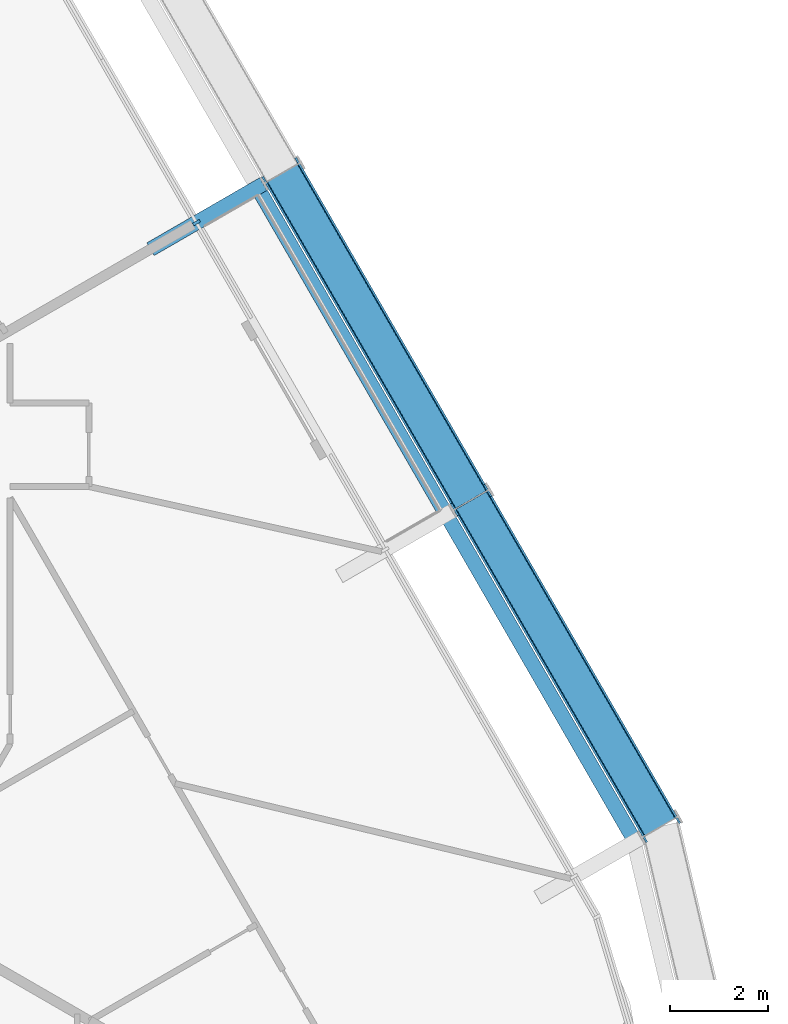
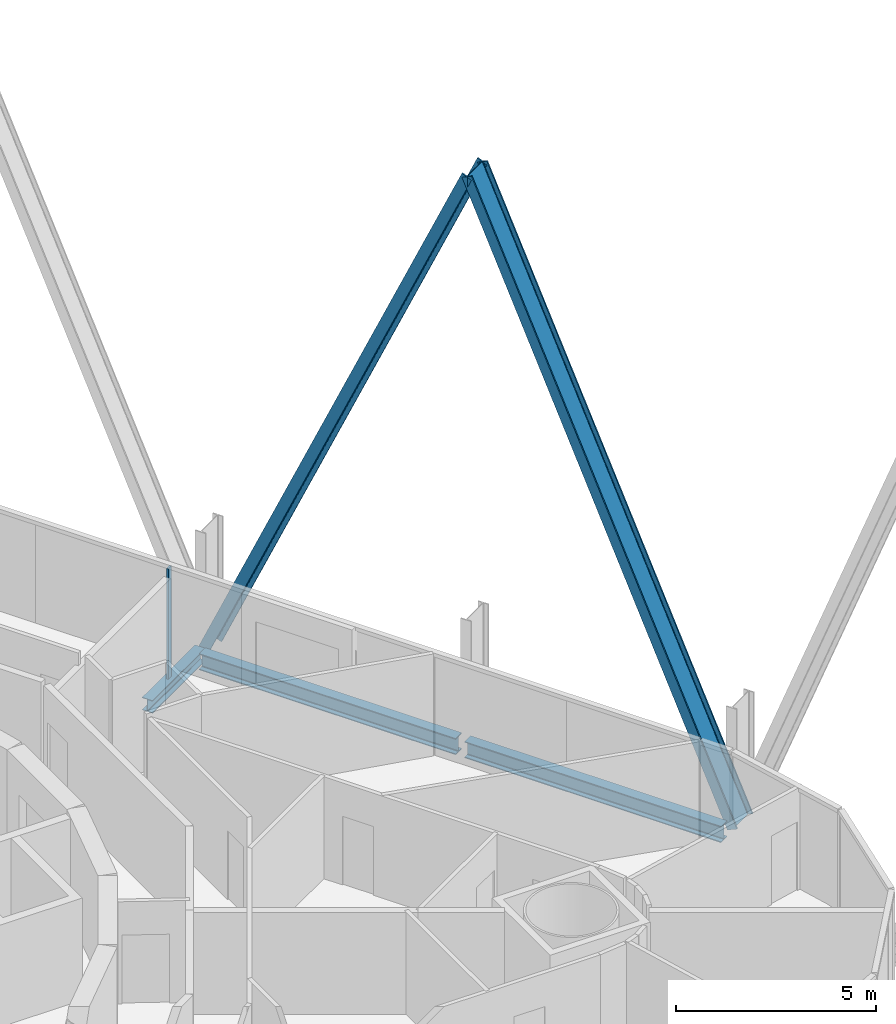
# One storey, part 9 of 22: 3 beams, 3 members, 1 element without a shape of its own.
"""IFC4 building model written with IfcOpenShell, lengths in metres."""

import ifcopenshell
import ifcopenshell.guid

model = None  # the IFC model being written
_history = None  # IfcOwnerHistory: only IFC2X3 demands one
_inside = {}  # id of a spatial element -> (the spatial element, [elements in it])
_under = {}  # id of a project, library or spatial element -> (it, [spatial elements below it])
_declared = {}  # id of a project -> (the project, [libraries it declares])
_typed = {}  # id of a type object -> (the type object, [elements of that type])
_made_of = {}  # id of a material, layer set ... -> (it, [elements and type objects made of it])


def new_model(schema):
    """Start an empty IFC model of exactly this schema.

    Asked for "IFC4X3", IfcOpenShell would pick the latest addendum, in which some entities
    have other attributes; the version numbers below select the first issue.
    IFC2X3 requires an IfcOwnerHistory on every rooted entity: one is made here for all.
    """
    global model, _history
    if schema == "IFC4X3":
        model = ifcopenshell.file(schema_version=(4, 3, 0, 0))
    else:
        model = ifcopenshell.file(schema=schema)
    _inside.clear()
    _under.clear()
    _declared.clear()
    _typed.clear()
    _made_of.clear()
    _history = None
    if model.schema == "IFC2X3":
        org = make("IfcOrganization", Name="unknown")
        user = make(
            "IfcPersonAndOrganization",
            ThePerson=make("IfcPerson", FamilyName="unknown"),
            TheOrganization=org,
        )
        app = make(
            "IfcApplication",
            ApplicationDeveloper=org,
            Version="unknown",
            ApplicationFullName="unknown",
            ApplicationIdentifier="unknown",
        )
        _history = make(
            "IfcOwnerHistory",
            OwningUser=user,
            OwningApplication=app,
            ChangeAction="ADDED",
            CreationDate=0,
        )
    return model


def make(cls, **values):
    """One entity of the class cls with the attributes given. An attribute that is None is left unset."""
    return model.create_entity(
        cls, **{name: value for name, value in values.items() if value is not None}
    )


def rooted(cls, **values):
    """An entity with a GlobalId (a new one), such as an element, a storey or a relation."""
    return make(cls, GlobalId=ifcopenshell.guid.new(), OwnerHistory=_history, **values)


def si_unit(unit_type, name, prefix=None):
    """IfcSIUnit, for example si_unit("LENGTHUNIT", "METRE", prefix="MILLI")."""
    return make("IfcSIUnit", UnitType=unit_type, Prefix=prefix, Name=name)


def assignment(units):
    """IfcUnitAssignment: the units of a project."""
    return None if units is None else make("IfcUnitAssignment", Units=units)


def point(xyz):
    """IfcCartesianPoint."""
    return None if xyz is None else make("IfcCartesianPoint", Coordinates=xyz)


def direction(xyz):
    """IfcDirection."""
    return None if xyz is None else make("IfcDirection", DirectionRatios=xyz)


def frame(location, z_axis=None, x_axis=None):
    """IfcAxis2Placement3D, a coordinate frame: its origin and axes. An axis left out is left unset."""
    return make(
        "IfcAxis2Placement3D",
        Location=point(location),
        Axis=direction(z_axis),
        RefDirection=direction(x_axis),
    )


def frame_2d(location, x_axis=None):
    """IfcAxis2Placement2D, a coordinate frame in the plane: its origin and x axis."""
    return make(
        "IfcAxis2Placement2D", Location=point(location), RefDirection=direction(x_axis)
    )


def origin():
    """The frame at (0, 0, 0) with its axes left unset."""
    return frame((0.0, 0.0, 0.0))


def origin_2d():
    """The frame at (0, 0) in the plane with its x axis left unset."""
    return frame_2d((0.0, 0.0))


def place(relative_to, where):
    """IfcLocalPlacement: puts the frame where relative to a parent placement (None: the world)."""
    return make(
        "IfcLocalPlacement", PlacementRelTo=relative_to, RelativePlacement=where
    )


def context(
    kind, dimensions, precision=None, world=None, true_north=None, identifier=None
):
    """IfcGeometricRepresentationContext, for example the 3D "Model" context."""
    return make(
        "IfcGeometricRepresentationContext",
        ContextIdentifier=identifier,
        ContextType=kind,
        CoordinateSpaceDimension=dimensions,
        Precision=precision,
        WorldCoordinateSystem=world,
        TrueNorth=true_north,
    )


def subcontext(parent, identifier, kind, view, scale=None):
    """IfcGeometricRepresentationSubContext, for example "Body" below "Model"."""
    return make(
        "IfcGeometricRepresentationSubContext",
        ContextIdentifier=identifier,
        ContextType=kind,
        ParentContext=parent,
        TargetScale=scale,
        TargetView=view,
    )


def project(units=None, contexts=None):
    """IfcProject with its units and contexts."""
    return rooted(
        "IfcProject",
        Name="project",
        RepresentationContexts=contexts,
        UnitsInContext=assignment(units),
    )


def spatial(cls, under=None, at=None, **own):
    """A site, building, storey or space (cls), placed at a placement, below another one or the project."""
    s = rooted(cls, ObjectPlacement=at, **own)
    if under is not None:
        _under.setdefault(under.id(), (under, []))[1].append(s)
    return s


def profile(cls, at=None, kind="AREA", **sizes):
    """A parametric profile (cls). Its sizes go by their IFC names, for example OverallWidth=200.0."""
    return make(cls, ProfileType=kind, Position=at, **sizes)


def rectangle(**sizes):
    """IfcRectangleProfileDef."""
    return profile("IfcRectangleProfileDef", **sizes)


def i_section(**sizes):
    """IfcIShapeProfileDef."""
    return profile("IfcIShapeProfileDef", **sizes)


def extrude(swept, where, along, depth):
    """IfcExtrudedAreaSolid: the profile swept, set in the frame where, extruded along a direction by depth."""
    return make(
        "IfcExtrudedAreaSolid",
        SweptArea=swept,
        Position=where,
        ExtrudedDirection=direction(along),
        Depth=depth,
    )


def shape(context_of_items, identifier, shape_type, items):
    """IfcShapeRepresentation: the items that make up one representation, for example the "Body"."""
    return make(
        "IfcShapeRepresentation",
        ContextOfItems=context_of_items,
        RepresentationIdentifier=identifier,
        RepresentationType=shape_type,
        Items=items,
    )


def material(Name=None, Category=None):
    """IfcMaterial."""
    return make("IfcMaterial", Name=Name, Category=Category)


def layer(
    of_material, thickness, ventilated=None, Name=None, Category=None, Priority=None
):
    """IfcMaterialLayer: one layer of a wall or slab, of a material (None: an air gap)."""
    return make(
        "IfcMaterialLayer",
        Material=of_material,
        LayerThickness=thickness,
        IsVentilated=ventilated,
        Name=Name,
        Category=Category,
        Priority=Priority,
    )


def layer_set(layers, Name=None):
    """IfcMaterialLayerSet."""
    return make("IfcMaterialLayerSet", MaterialLayers=layers, LayerSetName=Name)


def material_profile(
    of_material, cross_section, Name=None, Category=None, Priority=None
):
    """IfcMaterialProfile: a cross section and its material."""
    return make(
        "IfcMaterialProfile",
        Name=Name,
        Material=of_material,
        Profile=cross_section,
        Priority=Priority,
        Category=Category,
    )


def profile_set(profiles, Name=None, composite=None):
    """IfcMaterialProfileSet."""
    return make(
        "IfcMaterialProfileSet",
        Name=Name,
        MaterialProfiles=profiles,
        CompositeProfile=composite,
    )


def made_of(thing, what):
    """Note that an element or type object is made of a material, layer set ...; save() writes the relation."""
    if what is not None:
        _made_of.setdefault(what.id(), (what, []))[1].append(thing)
    return thing


def type_object(cls, material=None, **own):
    """A type object (cls), such as IfcWallType, which elements share."""
    return made_of(rooted(cls, **own), material)


def element(
    cls,
    number,
    at=None,
    inside=None,
    cuts=None,
    type_object=None,
    material=None,
    context=None,
    identifier="Body",
    shape_type=None,
    held_by="IfcProductDefinitionShape",
    body=None,
    shapes=None,
    **own,
):
    """One element of the class cls, such as IfcWall. Its Tag is "e" and its number.

    at: its placement. inside: the storey or other place that contains it. cuts: it is an
    opening in that element (IfcRelVoidsElement). A single representation is given by context,
    identifier, shape_type and body (its items); several are given by shapes. held_by: the class
    of the entity that holds the representations. save() writes the other relations.
    """
    e = rooted(cls, Tag="e%d" % number, ObjectPlacement=at, **own)
    if body is not None:
        shapes = [shape(context, identifier, shape_type, body)]
    if shapes is not None:
        e.Representation = make(held_by, Representations=shapes)
    if inside is not None:
        _inside.setdefault(inside.id(), (inside, []))[1].append(e)
    if cuts is not None:
        rooted(
            "IfcRelVoidsElement", RelatingBuildingElement=cuts, RelatedOpeningElement=e
        )
    if type_object is not None:
        _typed.setdefault(type_object.id(), (type_object, []))[1].append(e)
    return made_of(e, material)


def aggregate(whole, parts):
    """IfcRelAggregates: a whole, such as a stair, and the parts it consists of."""
    return rooted("IfcRelAggregates", RelatingObject=whole, RelatedObjects=parts)


def save(model, path):
    """Write the relations noted so far, then the file.

    IfcRelAggregates (storeys below a building ...), IfcRelContainedInSpatialStructure (elements
    in a storey), IfcRelDefinesByType, IfcRelAssociatesMaterial and IfcRelDeclares: one each for
    every whole, place, type object, material and project.
    """
    for whole, parts in _under.values():
        aggregate(whole, parts)
    for where, things in _inside.values():
        rooted(
            "IfcRelContainedInSpatialStructure",
            RelatedElements=things,
            RelatingStructure=where,
        )
    for kind, things in _typed.values():
        rooted("IfcRelDefinesByType", RelatedObjects=things, RelatingType=kind)
    for what, things in _made_of.values():
        rooted("IfcRelAssociatesMaterial", RelatedObjects=things, RelatingMaterial=what)
    for by, libraries in _declared.values():
        rooted("IfcRelDeclares", RelatingContext=by, RelatedDefinitions=libraries)
    model.write(path)


model = new_model("IFC4")

# Units and contexts
model_context = context("Model", 3, precision=1e-05, world=origin(), true_north=direction((0.0, 1.0)))
body_context = subcontext(model_context, "Body", "Model", "MODEL_VIEW")
ifc_project = project(units=[si_unit("LENGTHUNIT", "METRE"), si_unit("AREAUNIT", "SQUARE_METRE"), si_unit("VOLUMEUNIT", "CUBIC_METRE"), si_unit("PLANEANGLEUNIT", "RADIAN"), si_unit("MASSUNIT", "GRAM", prefix="KILO")], contexts=[model_context])

# Site, building, storey
site_placement = place(None, origin())
site = spatial("IfcSite", under=ifc_project, at=site_placement, CompositionType="ELEMENT")
building_placement = place(site_placement, origin())
building = spatial("IfcBuilding", under=site, at=building_placement, Name="Spindle Arch Residences", CompositionType="ELEMENT")
storey_placement = place(building_placement, frame((0.0, 0.0, 52.39990234375)))
storey = spatial("IfcBuildingStorey", under=building, at=storey_placement, Name="L11", CompositionType="ELEMENT", Elevation=52.39990234375)

# Curtain wall, member
ifc_material_1 = material(Name="Aluminium bronze unitised frame with tinted glass", Category="aluminium")
ifc_layer = layer(ifc_material_1, 0.159912109375)
ifc_layer_set = layer_set([ifc_layer], Name="CW-C typical residential unitised wall")
curtain_wall_type = type_object("IfcCurtainWallType", Name="CW-C typical residential unitised wall", PredefinedType="NOTDEFINED", material=ifc_layer_set)
curtain_wall_placement = place(storey_placement, origin())
curtain_wall = element("IfcCurtainWall", 1, at=curtain_wall_placement, inside=storey, type_object=curtain_wall_type, Name="CW-C L11 run 2", PredefinedType="NOTDEFINED")
ifc_material_2 = material(Name="Aluminium bronze anodised mullion", Category="aluminium")
ifc_material_profile_1 = material_profile(ifc_material_2, rectangle(XDim=0.159912109375, YDim=0.06005859375, at=origin_2d()), Name="MU 60x160")
ifc_profile_set_1 = profile_set([ifc_material_profile_1], Name="Aluminium bronze anodised mullion")
member_type_1 = type_object("IfcMemberType", Name="Bronze mullion 60x160", PredefinedType="MULLION", material=ifc_profile_set_1)
member_placement = place(storey_placement, frame((18.9892578125, 6.529296875, -0.3798828125), z_axis=(0.0, 0.0, 1.0), x_axis=(-0.866025403784, -0.5, 0.0)))
member = element("IfcMember", 2, at=member_placement, type_object=member_type_1, Name="CW-C mullion 07", PredefinedType="MULLION", context=body_context, shape_type="SweptSolid", body=[
    extrude(rectangle(XDim=0.159912109375, YDim=0.06005859375, at=origin_2d()), origin(), (0.0, 0.0, 1.0), 3.3798828125),
])
aggregate(curtain_wall, [member])

# Members
ifc_material_3 = material(Name="Steel S460ML, intumescent coating R 240", Category="steel")
ifc_material_profile_2 = material_profile(ifc_material_3, i_section(OverallWidth=0.302978515625, OverallDepth=0.81396484375, WebThickness=0.02099609375, FlangeThickness=0.0400390625, FilletRadius=0.030029296875, at=origin_2d()), Name="HEM 800")
ifc_profile_set_2 = profile_set([ifc_material_profile_2], Name="Steel S460ML, intumescent coating R 240")
member_type_2 = type_object("IfcMemberType", Name="Diagrid diagonal HEM 800", PredefinedType="BRACE", material=ifc_profile_set_2)
for number, where, z_axis, x_axis, name in (
    (3, (28.418701171875, -5.762939453125, -0.6298828125), (-0.203142721803, 0.351847998607, 0.913748335405), (0.456879540285, -0.79132616924, 0.406280665975), "Diagrid diagonal 1.2.6"),
    (4, (20.73876953125, 7.539306640625, -0.6298828125), (0.203130339554, -0.351848921698, 0.913750732669), (-0.45685895331, 0.791340823055, 0.406275274348), "Diagrid diagonal 1.2.7"),
):
    element("IfcMember", number, at=place(storey_placement, frame(where, z_axis=z_axis, x_axis=x_axis)), inside=storey, type_object=member_type_2, Name=name, PredefinedType="BRACE", context=body_context, shape_type="SweptSolid", body=[
        extrude(i_section(OverallWidth=0.302978515625, OverallDepth=0.81396484375, WebThickness=0.02099609375, FlangeThickness=0.0400390625, FilletRadius=0.030029296875, at=origin_2d()), origin(), (0.0, 0.0, 1.0), 18.9033203125),
    ])

# Beams
ifc_material_4 = material(Name="Steel S460ML, intumescent coating R 120", Category="steel")
ifc_material_profile_3 = material_profile(ifc_material_4, i_section(OverallWidth=0.300048828125, OverallDepth=0.5, WebThickness=0.014404296875, FlangeThickness=0.028076171875, FilletRadius=0.027099609375, at=origin_2d()), Name="HEB 500")
ifc_profile_set_3 = profile_set([ifc_material_profile_3], Name="Steel S460ML, intumescent coating R 120")
beam_type_1 = type_object("IfcBeamType", Name="Exoskeleton edge beam HEB 500", PredefinedType="BEAM", material=ifc_profile_set_3)
for number, where, z_axis, x_axis, name in (
    (5, (27.84521484375, -5.94384765625, -0.6298828125), (-0.49998923004, 0.866031621735, 0.0), (-0.866031621735, -0.49998923004, 0.0), "Exoskeleton edge beam 6"),
    (6, (24.00537109375, 0.707275390625, -0.6298828125), (-0.49998923004, 0.866031621735, 0.0), (-0.866031621735, -0.49998923004, 0.0), "Exoskeleton edge beam 7"),
):
    element("IfcBeam", number, at=place(storey_placement, frame(where, z_axis=z_axis, x_axis=x_axis)), inside=storey, type_object=beam_type_1, Name=name, PredefinedType="BEAM", context=body_context, shape_type="SweptSolid", body=[
        extrude(i_section(OverallWidth=0.300048828125, OverallDepth=0.5, WebThickness=0.014404296875, FlangeThickness=0.028076171875, FilletRadius=0.027099609375, at=origin_2d()), origin(), (0.0, 0.0, 1.0), 7.420166015625),
    ])
ifc_material_5 = material(Name="Steel S460ML, intumescent coating R 120", Category="steel")
ifc_material_profile_4 = material_profile(ifc_material_5, i_section(OverallWidth=0.300048828125, OverallDepth=0.389892578125, WebThickness=0.010986328125, FlangeThickness=0.01904296875, FilletRadius=0.027099609375, at=origin_2d()), Name="HEA 400")
ifc_profile_set_4 = profile_set([ifc_material_profile_4], Name="Steel S460ML, intumescent coating R 120")
beam_type_2 = type_object("IfcBeamType", Name="Floor outrigger HEA 400", PredefinedType="BEAM", material=ifc_profile_set_4)
beam_placement = place(storey_placement, frame((20.34912109375, 7.314453125, -0.574951171875), z_axis=(-0.866052124492, -0.499953715521, 0.0), x_axis=(0.499953715521, -0.866052124492, 0.0)))
element("IfcBeam", 7, at=beam_placement, inside=storey, type_object=beam_type_2, Name="Floor outrigger 8", PredefinedType="BEAM", context=body_context, shape_type="SweptSolid", body=[
    extrude(i_section(OverallWidth=0.300048828125, OverallDepth=0.389892578125, WebThickness=0.010986328125, FlangeThickness=0.01904296875, FilletRadius=0.027099609375, at=origin_2d()), origin(), (0.0, 0.0, 1.0), 2.650146484375),
])

save(model, "model.ifc")
